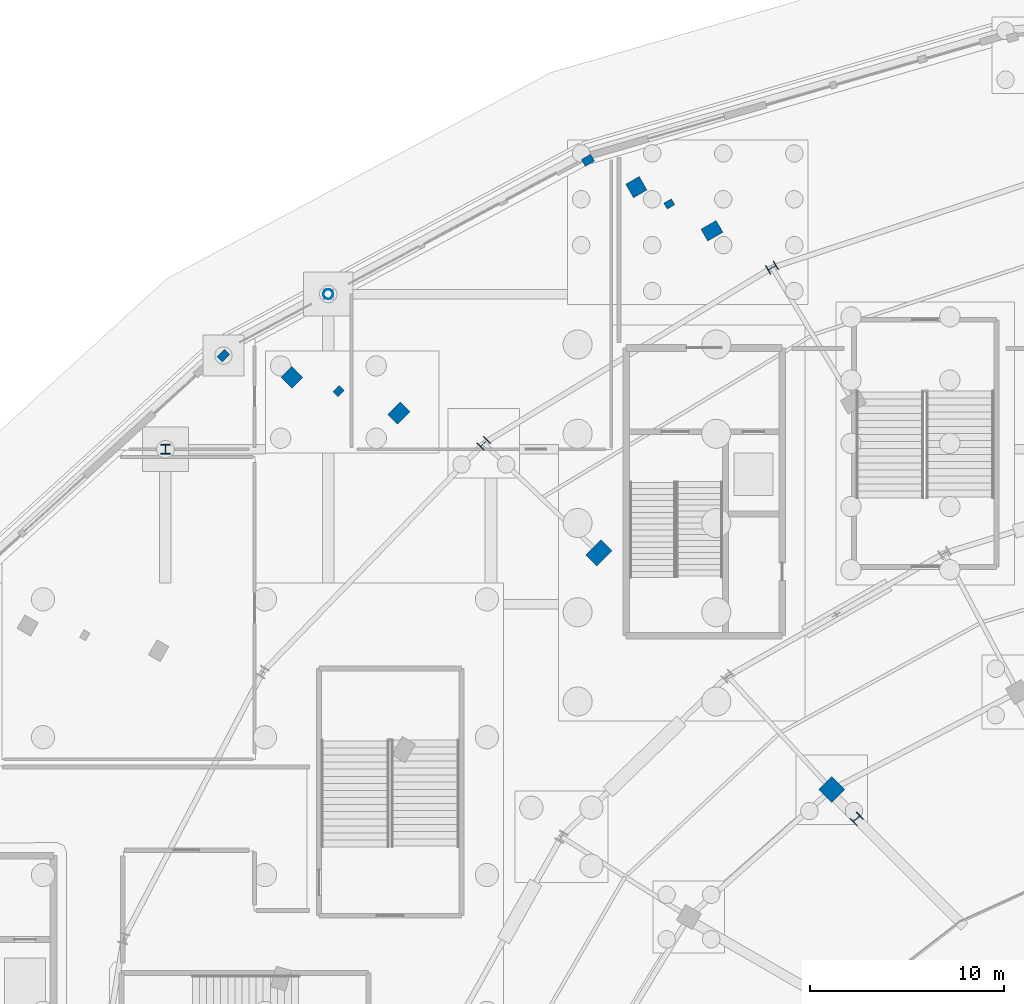
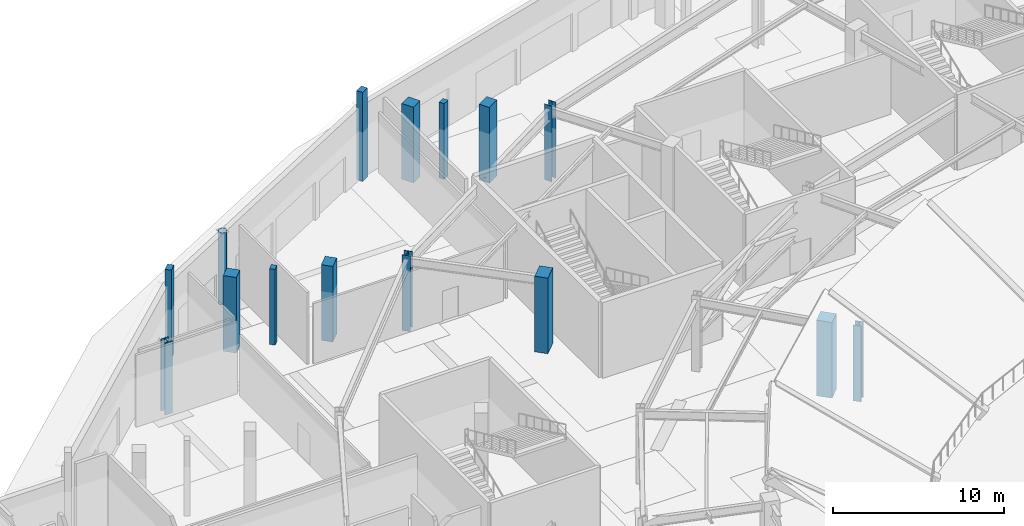
# One storey, part 21 of 93: 15 columns.
"""IFC4 building model written with IfcOpenShell, lengths in metres."""

from ifc_helpers import new_model, si_unit, direction, frame, origin, origin_2d, place, context, subcontext, project, spatial, rectangle, hollow_circle, i_section, extrude, material, material_profile, profile_set, type_object, element, save


model = new_model("IFC4")

# Units and contexts
model_context = context("Model", 3, precision=1e-05, world=origin(), true_north=direction((0.0, 1.0)))
body_context = subcontext(model_context, "Body", "Model", "MODEL_VIEW")
ifc_project = project(units=[si_unit("LENGTHUNIT", "METRE"), si_unit("AREAUNIT", "SQUARE_METRE"), si_unit("VOLUMEUNIT", "CUBIC_METRE"), si_unit("PLANEANGLEUNIT", "RADIAN"), si_unit("MASSUNIT", "GRAM", prefix="KILO")], contexts=[model_context])

# Site, building, storey
site_placement = place(None, origin())
site = spatial("IfcSite", under=ifc_project, at=site_placement, CompositionType="ELEMENT")
building_placement = place(site_placement, origin())
building = spatial("IfcBuilding", under=site, at=building_placement, Name="Kalgoora Escarpment Arena", CompositionType="ELEMENT")
storey_placement = place(building_placement, origin())
storey = spatial("IfcBuildingStorey", under=building, at=storey_placement, Name="L00", CompositionType="ELEMENT", Elevation=0.0)

# Columns
ifc_material_1 = material(Name="Structural steel Grade 350 (350 MPa)", Category="steel")
ifc_material_profile_1 = material_profile(ifc_material_1, i_section(OverallWidth=0.5, OverallDepth=0.5, WebThickness=0.02001953125, FlangeThickness=0.034912109375, at=origin_2d()))
ifc_profile_set_1 = profile_set([ifc_material_profile_1], Name="Structural steel Grade 350 (350 MPa)")
column_type_1 = type_object("IfcColumnType", Name="COL-COL-500WC340", PredefinedType="COLUMN", material=ifc_profile_set_1)
for number, where, z_axis, x_axis, name in (
    (1, (56.5, 113.36328125, 0.0), (0.0, 0.0, 1.0), (-0.5, 0.866025403784, 0.0), "L00 structural column COL-RCONC2-R09"),
    (2, (41.629638671875, 104.30517578125, 0.0), (0.0, 0.0, 1.0), (-0.707106781187, 0.707106781187, 0.0), "L00 structural column COL-RCONC2-R10"),
):
    element("IfcColumn", number, at=place(storey_placement, frame(where, z_axis=z_axis, x_axis=x_axis)), inside=storey, type_object=column_type_1, Name=name, PredefinedType="COLUMN", context=body_context, shape_type="SweptSolid", body=[
        extrude(i_section(OverallWidth=0.5, OverallDepth=0.5, WebThickness=0.02001953125, FlangeThickness=0.034912109375, at=origin_2d()), origin(), (0.0, 0.0, 1.0), 5.39990234375),
    ])
column_1_placement = place(storey_placement, frame((25.199951171875, 104.0, 0.0), z_axis=(0.0, 0.0, 1.0), x_axis=(1.0, 0.0, 0.0)))
element("IfcColumn", 3, at=column_1_placement, inside=storey, type_object=column_type_1, Name="L00 structural column COL-G4-P", PredefinedType="COLUMN", context=body_context, shape_type="SweptSolid", body=[
    extrude(i_section(OverallWidth=0.5, OverallDepth=0.5, WebThickness=0.02001953125, FlangeThickness=0.034912109375, at=origin_2d()), origin(), (0.0, 0.0, 1.0), 5.14990234375),
])
ifc_material_2 = material(Name="Structural steel Grade 350 (350 MPa)", Category="steel")
ifc_material_profile_2 = material_profile(ifc_material_2, i_section(OverallWidth=0.5, OverallDepth=0.5, WebThickness=0.02490234375, FlangeThickness=0.0419921875, at=origin_2d()))
ifc_profile_set_2 = profile_set([ifc_material_profile_2], Name="Structural steel Grade 350 (350 MPa)")
column_type_2 = type_object("IfcColumnType", Name="COL-COL-500WC440", PredefinedType="COLUMN", material=ifc_profile_set_2)
column_2_placement = place(storey_placement, frame((60.863037109375, 84.930419921875, 0.0), z_axis=(0.0, 0.0, 1.0), x_axis=(-0.707106781187, 0.707106781187, 0.0)))
element("IfcColumn", 4, at=column_2_placement, inside=storey, type_object=column_type_2, Name="L00 structural column COL-TSPINE-S04", PredefinedType="COLUMN", context=body_context, shape_type="SweptSolid", body=[
    extrude(i_section(OverallWidth=0.5, OverallDepth=0.5, WebThickness=0.02490234375, FlangeThickness=0.0419921875, at=origin_2d()), origin(), (0.0, 0.0, 1.0), 5.39990234375),
])
ifc_material_3 = material(Name="Structural steel C350 (350 MPa)", Category="steel")
ifc_material_profile_3 = material_profile(ifc_material_3, hollow_circle(Radius=0.25390625, WallThickness=0.01611328125, at=origin_2d()))
ifc_profile_set_3 = profile_set([ifc_material_profile_3], Name="Structural steel C350 (350 MPa)")
column_type_3 = type_object("IfcColumnType", Name="COL-COL-508.0x16.0CHS", PredefinedType="COLUMN", material=ifc_profile_set_3)
column_3_placement = place(storey_placement, frame((33.60009765625, 112.0, 0.0), z_axis=(0.0, 0.0, 1.0), x_axis=(1.0, 0.0, 0.0)))
element("IfcColumn", 5, at=column_3_placement, inside=storey, type_object=column_type_3, Name="L00 structural column COL-G5-Q", PredefinedType="COLUMN", context=body_context, shape_type="SweptSolid", body=[
    extrude(hollow_circle(Radius=0.25390625, WallThickness=0.01611328125, at=origin_2d()), origin(), (0.0, 0.0, 1.0), 5.14990234375),
])
ifc_material_4 = material(Name="Concrete N50 (fc' 50 MPa)", Category="concrete")
ifc_material_profile_4 = material_profile(ifc_material_4, rectangle(XDim=0.800048828125, YDim=1.10009765625, at=origin_2d()))
ifc_profile_set_4 = profile_set([ifc_material_profile_4], Name="Concrete N50 (fc' 50 MPa)")
column_type_4 = type_object("IfcColumnType", Name="COL-COL-RC1100x800", PredefinedType="COLUMN", material=ifc_profile_set_4)
column_4_placement = place(storey_placement, frame((47.5693359375, 98.648193359375, 0.0), z_axis=(0.0, 0.0, 1.0), x_axis=(-0.707106781187, 0.707106781187, 0.0)))
element("IfcColumn", 6, at=column_4_placement, inside=storey, type_object=column_type_4, Name="L00 structural column COL-RCONC1-R10", PredefinedType="COLUMN", context=body_context, shape_type="SweptSolid", body=[
    extrude(rectangle(XDim=0.800048828125, YDim=1.10009765625, at=origin_2d()), origin(), (0.0, 0.0, 1.0), 5.39990234375),
])
ifc_material_5 = material(Name="Concrete N50 (fc' 50 MPa)", Category="concrete")
ifc_material_profile_5 = material_profile(ifc_material_5, rectangle(XDim=0.800048828125, YDim=0.800048828125, at=origin_2d()))
ifc_profile_set_5 = profile_set([ifc_material_profile_5], Name="Concrete N50 (fc' 50 MPa)")
column_type_5 = type_object("IfcColumnType", Name="COL-COL-RC800x800", PredefinedType="COLUMN", material=ifc_profile_set_5)
for number, where, z_axis, x_axis, name in (
    (7, (49.5, 117.5205078125, 0.0), (0.0, 0.0, 1.0), (-0.5, 0.866025403784, 0.0), "L00 structural column COL-RBASE2-R09"),
    (8, (31.730224609375, 107.69921875, 0.0), (0.0, 0.0, 1.0), (-0.707106781187, 0.707106781187, 0.0), "L00 structural column COL-RBASE2-R10"),
):
    element("IfcColumn", number, at=place(storey_placement, frame(where, z_axis=z_axis, x_axis=x_axis)), inside=storey, type_object=column_type_5, Name=name, PredefinedType="COLUMN", context=body_context, shape_type="SweptSolid", body=[
        extrude(rectangle(XDim=0.800048828125, YDim=0.800048828125, at=origin_2d()), origin(), (0.0, 0.0, 1.0), 5.39990234375),
    ])
ifc_material_6 = material(Name="Concrete N50 (fc' 50 MPa)", Category="concrete")
ifc_material_profile_6 = material_profile(ifc_material_6, rectangle(XDim=0.699951171875, YDim=0.89990234375, at=origin_2d()))
ifc_profile_set_6 = profile_set([ifc_material_profile_6], Name="Concrete N50 (fc' 50 MPa)")
column_type_6 = type_object("IfcColumnType", Name="COL-COL-RC900x700", PredefinedType="COLUMN", material=ifc_profile_set_6)
for number, where, z_axis, x_axis, name in (
    (9, (53.39990234375, 115.268798828125, 0.0), (0.0, 0.0, 1.0), (-0.5, 0.866025403784, 0.0), "L00 structural column COL-RBASE1-R09"),
    (10, (37.24560546875, 105.860595703125, 0.0), (0.0, 0.0, 1.0), (-0.707106781187, 0.707106781187, 0.0), "L00 structural column COL-RBASE1-R10"),
):
    element("IfcColumn", number, at=place(storey_placement, frame(where, z_axis=z_axis, x_axis=x_axis)), inside=storey, type_object=column_type_6, Name=name, PredefinedType="COLUMN", context=body_context, shape_type="SweptSolid", body=[
        extrude(rectangle(XDim=0.699951171875, YDim=0.89990234375, at=origin_2d()), origin(), (0.0, 0.0, 1.0), 5.39990234375),
    ])
ifc_material_7 = material(Name="Concrete N50 (fc' 50 MPa)", Category="concrete")
ifc_material_profile_7 = material_profile(ifc_material_7, rectangle(XDim=0.949951171875, YDim=0.949951171875, at=origin_2d()))
ifc_profile_set_7 = profile_set([ifc_material_profile_7], Name="Concrete N50 (fc' 50 MPa)")
column_type_7 = type_object("IfcColumnType", Name="COL-COL-RC950x950", PredefinedType="COLUMN", material=ifc_profile_set_7)
column_5_placement = place(storey_placement, frame((59.583251953125, 86.429443359375, 0.0), z_axis=(0.0, 0.0, 1.0), x_axis=(-0.707106781187, 0.707106781187, 0.0)))
element("IfcColumn", 11, at=column_5_placement, inside=storey, type_object=column_type_7, Name="L00 structural column COL-RMID-R10", PredefinedType="COLUMN", context=body_context, shape_type="SweptSolid", body=[
    extrude(rectangle(XDim=0.949951171875, YDim=0.949951171875, at=origin_2d()), origin(), (0.0, 0.0, 1.0), 5.39990234375),
])
ifc_material_8 = material(Name="Precast concrete N50 (fc' 50 MPa)", Category="concrete")
ifc_material_profile_8 = material_profile(ifc_material_8, rectangle(XDim=0.35009765625, YDim=0.449951171875, at=origin_2d()))
ifc_profile_set_8 = profile_set([ifc_material_profile_8], Name="Precast concrete N50 (fc' 50 MPa)")
column_type_8 = type_object("IfcColumnType", Name="COL-PIL-PC-PILASTER-450x350", PredefinedType="PILASTER", material=ifc_profile_set_8)
for number, where, z_axis, x_axis, name in (
    (12, (51.199951171875, 116.654052734375, 0.0), (0.0, 0.0, 1.0), (-0.5, 0.866025403784, 0.0), "L00 fluted pilaster PIL-054"),
    (13, (34.134033203125, 106.991943359375, 0.0), (0.0, 0.0, 1.0), (-0.707106781187, 0.707106781187, 0.0), "L00 fluted pilaster PIL-055"),
):
    element("IfcColumn", number, at=place(storey_placement, frame(where, z_axis=z_axis, x_axis=x_axis)), inside=storey, type_object=column_type_8, Name=name, PredefinedType="PILASTER", context=body_context, shape_type="SweptSolid", body=[
        extrude(rectangle(XDim=0.35009765625, YDim=0.449951171875, at=origin_2d()), origin(), (0.0, 0.0, 1.0), 5.39990234375),
    ])
ifc_material_9 = material(Name="Precast concrete N50 (fc' 50 MPa)", Category="concrete")
ifc_material_profile_9 = material_profile(ifc_material_9, rectangle(XDim=0.39990234375, YDim=0.550048828125, at=origin_2d()))
ifc_profile_set_9 = profile_set([ifc_material_profile_9], Name="Precast concrete N50 (fc' 50 MPa)")
column_type_9 = type_object("IfcColumnType", Name="COL-PIL-PC-PILASTER-550x400", PredefinedType="PILASTER", material=ifc_profile_set_9)
for number, where, z_axis, x_axis, name in (
    (14, (47.0, 118.906005859375, 0.0), (0.0, 0.0, 1.0), (-0.5, 0.866025403784, 0.0), "L00 fluted pilaster PIL-030"),
    (15, (28.195068359375, 108.8310546875, 0.0), (0.0, 0.0, 1.0), (-0.707106781187, 0.707106781187, 0.0), "L00 fluted pilaster PIL-031"),
):
    element("IfcColumn", number, at=place(storey_placement, frame(where, z_axis=z_axis, x_axis=x_axis)), inside=storey, type_object=column_type_9, Name=name, PredefinedType="PILASTER", context=body_context, shape_type="SweptSolid", body=[
        extrude(rectangle(XDim=0.39990234375, YDim=0.550048828125, at=origin_2d()), origin(), (0.0, 0.0, 1.0), 6.35009765625),
    ])

save(model, "model.ifc")
